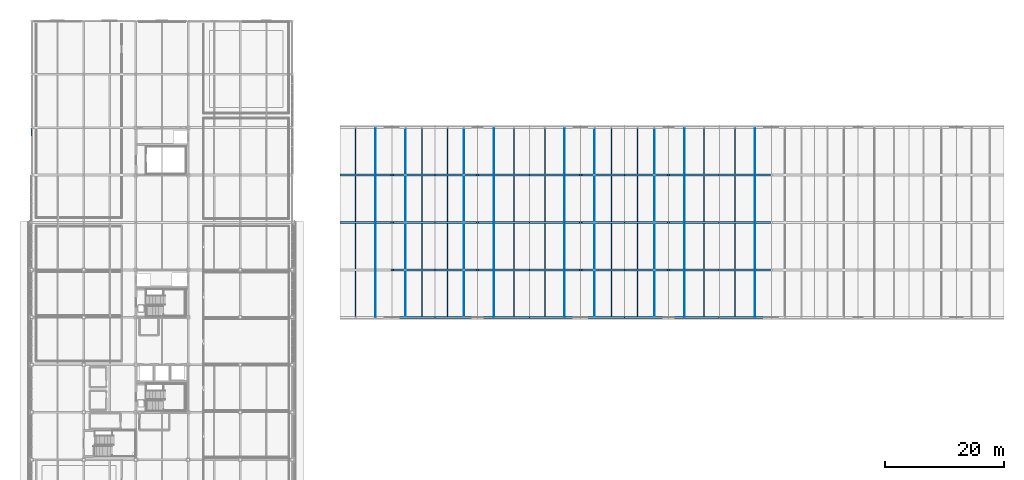
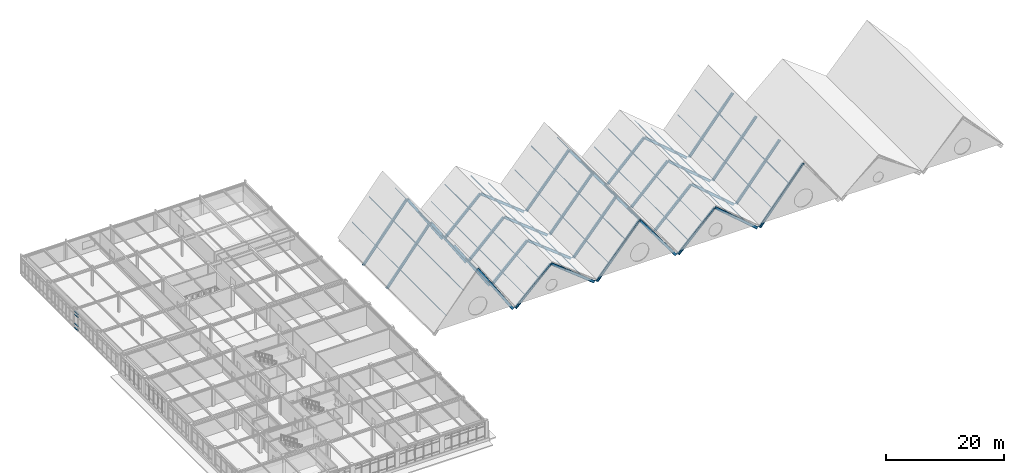
# One storey, part 20 of 64: 56 members, 1 element without a shape of its own.
"""IFC4 building model written with IfcOpenShell, lengths in metres."""

from ifc_helpers import new_model, si_unit, direction, frame, origin, origin_2d, place, context, subcontext, project, spatial, rectangle, hollow_rectangle, i_section, extrude, material, material_profile, profile_set, type_object, element, aggregate, save


model = new_model("IFC4")

# Units and contexts
model_context = context("Model", 3, precision=1e-05, world=origin(), true_north=direction((0.0, 1.0)))
body_context = subcontext(model_context, "Body", "Model", "MODEL_VIEW")
ifc_project = project(units=[si_unit("LENGTHUNIT", "METRE"), si_unit("AREAUNIT", "SQUARE_METRE"), si_unit("VOLUMEUNIT", "CUBIC_METRE"), si_unit("PLANEANGLEUNIT", "RADIAN"), si_unit("MASSUNIT", "GRAM", prefix="KILO")], contexts=[model_context])

# Site, building, storey
site_placement = place(None, origin())
site = spatial("IfcSite", under=ifc_project, at=site_placement, CompositionType="ELEMENT")
building_placement = place(site_placement, origin())
building = spatial("IfcBuilding", under=site, at=building_placement, Name="Zhaolan Boulevard Law Courts", CompositionType="ELEMENT")
storey_placement = place(building_placement, frame((0.0, 0.0, 20.39990234375)))
storey = spatial("IfcBuildingStorey", under=building, at=storey_placement, Name="L04", CompositionType="ELEMENT", Elevation=20.39990234375)

# Curtain wall, members
ifc_material_1 = material(Name="Thermally broken aluminium and low-E glazing", Category="aluminium")
curtain_wall_type = type_object("IfcCurtainWallType", Name="CURTAIN WALL M12", PredefinedType="USERDEFINED", material=ifc_material_1)
curtain_wall_placement = place(storey_placement, origin())
curtain_wall = element("IfcCurtainWall", 1, at=curtain_wall_placement, inside=storey, type_object=curtain_wall_type, Name="Curtain Wall CW-L04-132", ObjectType="CURTAIN WALL", PredefinedType="USERDEFINED")
ifc_material_2 = material(Name="Fluorocarbon-coated aluminium 6063-T6", Category="aluminium")
ifc_material_profile_1 = material_profile(ifc_material_2, rectangle(XDim=0.139892578125, YDim=0.06494140625, at=origin_2d()), Name="AL65x140")
ifc_profile_set_1 = profile_set([ifc_material_profile_1], Name="Fluorocarbon-coated aluminium 6063-T6")
member_type_1 = type_object("IfcMemberType", Name="CWTRANSOM 65X140", PredefinedType="USERDEFINED", material=ifc_profile_set_1)
member_1_placement = place(storey_placement, frame((0.0, 93.782958984375, 0.03271484375), z_axis=(0.0, -1.0, 0.0), x_axis=(1.0, 0.0, 0.0)))
member_1 = element("IfcMember", 2, at=member_1_placement, type_object=member_type_1, Name="CW-L04-132 transom 1.1", ObjectType="TRANSOM", PredefinedType="USERDEFINED", context=body_context, shape_type="SweptSolid", body=[
    extrude(rectangle(XDim=0.139892578125, YDim=0.06494140625, at=origin_2d()), origin(), (0.0, 0.0, 1.0), 1.18505859375),
])
member_2_placement = place(storey_placement, frame((0.0, 93.782958984375, 0.900146484375), z_axis=(0.0, -1.0, 0.0), x_axis=(1.0, 0.0, 0.0)))
member_2 = element("IfcMember", 3, at=member_2_placement, type_object=member_type_1, Name="CW-L04-132 transom 1.2", ObjectType="TRANSOM", PredefinedType="USERDEFINED", context=body_context, shape_type="SweptSolid", body=[
    extrude(rectangle(XDim=0.139892578125, YDim=0.06494140625, at=origin_2d()), origin(), (0.0, 0.0, 1.0), 1.18505859375),
])
member_3_placement = place(storey_placement, frame((0.0, 93.782958984375, 2.773193359375), z_axis=(0.0, -1.0, 0.0), x_axis=(1.0, 0.0, 0.0)))
member_3 = element("IfcMember", 4, at=member_3_placement, type_object=member_type_1, Name="CW-L04-132 transom 1.3", ObjectType="TRANSOM", PredefinedType="USERDEFINED", context=body_context, shape_type="SweptSolid", body=[
    extrude(rectangle(XDim=0.139892578125, YDim=0.06494140625, at=origin_2d()), origin(), (0.0, 0.0, 1.0), 1.18505859375),
])
member_4_placement = place(storey_placement, frame((0.0, 93.782958984375, 3.390625), z_axis=(0.0, -1.0, 0.0), x_axis=(1.0, 0.0, 0.0)))
member_4 = element("IfcMember", 5, at=member_4_placement, type_object=member_type_1, Name="CW-L04-132 transom 1.4", ObjectType="TRANSOM", PredefinedType="USERDEFINED", context=body_context, shape_type="SweptSolid", body=[
    extrude(rectangle(XDim=0.139892578125, YDim=0.06494140625, at=origin_2d()), origin(), (0.0, 0.0, 1.0), 1.18505859375),
])
aggregate(curtain_wall, [member_1, member_2, member_3, member_4])

# Members
ifc_material_3 = material(Name="Structural steel Q355B", Category="steel")
ifc_material_profile_2 = material_profile(ifc_material_3, hollow_rectangle(XDim=0.080078125, YDim=0.1201171875, WallThickness=0.006103515625, InnerFilletRadius=0.006103515625, OuterFilletRadius=0.011962890625, at=origin_2d()), Name="HSS120x80x6")
ifc_profile_set_2 = profile_set([ifc_material_profile_2], Name="Structural steel Q355B")
member_type_2 = type_object("IfcMemberType", Name="PURLIN HSS120", PredefinedType="PURLIN", material=ifc_profile_set_2)
for number, where, z_axis, x_axis, name in (
    (6, (57.98388671875, 62.0, 6.716064453125), (0.0, 1.0, 0.0), (-1.0, 0.0, 0.0), "Gable Roof Purlin GPR-1W2"),
    (7, (63.10400390625, 62.0, 6.716064453125), (0.0, 1.0, 0.0), (-1.0, 0.0, 0.0), "Gable Roof Purlin GPR-1E2"),
    (8, (72.89599609375, 62.0, 4.041015625), (0.0, 1.0, 0.0), (-1.0, 0.0, 0.0), "Gable Roof Purlin GPR-2W2"),
    (9, (78.01611328125, 62.0, 4.041015625), (0.0, 1.0, 0.0), (-1.0, 0.0, 0.0), "Gable Roof Purlin GPR-2E2"),
    (10, (89.847900390625, 62.0, 6.050048828125), (0.0, 1.0, 0.0), (-1.0, 0.0, 0.0), "Gable Roof Purlin GPR-3W2"),
    (11, (94.968017578125, 62.0, 6.050048828125), (0.0, 1.0, 0.0), (-1.0, 0.0, 0.0), "Gable Roof Purlin GPR-3E2"),
    (12, (105.031982421875, 62.0, 4.30908203125), (0.0, 1.0, 0.0), (-1.0, 0.0, 0.0), "Gable Roof Purlin GPR-4W2"),
    (13, (110.152099609375, 62.0, 4.30908203125), (0.0, 1.0, 0.0), (-1.0, 0.0, 0.0), "Gable Roof Purlin GPR-4E2"),
    (14, (121.98388671875, 62.0, 6.451171875), (0.0, 1.0, 0.0), (-1.0, 0.0, 0.0), "Gable Roof Purlin GPR-5W2"),
):
    element("IfcMember", number, at=place(storey_placement, frame(where, z_axis=z_axis, x_axis=x_axis)), inside=storey, type_object=member_type_2, Name=name, PredefinedType="PURLIN", context=body_context, shape_type="SweptSolid", body=[
        extrude(hollow_rectangle(XDim=0.080078125, YDim=0.1201171875, WallThickness=0.006103515625, InnerFilletRadius=0.006103515625, OuterFilletRadius=0.011962890625, at=origin_2d()), origin(), (0.0, 0.0, 1.0), 32.0),
    ])
ifc_material_4 = material(Name="Structural steel Q355B", Category="steel")
ifc_material_profile_3 = material_profile(ifc_material_4, hollow_rectangle(XDim=0.10009765625, YDim=0.14990234375, WallThickness=0.006103515625, InnerFilletRadius=0.006103515625, OuterFilletRadius=0.011962890625, at=origin_2d()), Name="HSS150x100x6")
ifc_profile_set_3 = profile_set([ifc_material_profile_3], Name="Structural steel Q355B")
member_type_3 = type_object("IfcMemberType", Name="PURLIN HSS150", PredefinedType="PURLIN", material=ifc_profile_set_3)
for number, where, z_axis, x_axis, name in (
    (15, (54.639892578125, 62.0, 2.612060546875), (0.0, 1.0, 0.0), (-1.0, 0.0, 0.0), "Gable Roof Purlin GPR-1W1"),
    (16, (65.840087890625, 62.0, 2.612060546875), (0.0, 1.0, 0.0), (-1.0, 0.0, 0.0), "Gable Roof Purlin GPR-1E1"),
    (17, (70.159912109375, 62.0, 1.45703125), (0.0, 1.0, 0.0), (-1.0, 0.0, 0.0), "Gable Roof Purlin GPR-2W1"),
    (18, (81.360107421875, 62.0, 1.45703125), (0.0, 1.0, 0.0), (-1.0, 0.0, 0.0), "Gable Roof Purlin GPR-2E1"),
    (19, (86.580078125, 62.0, 2.326171875), (0.0, 1.0, 0.0), (-1.0, 0.0, 0.0), "Gable Roof Purlin GPR-3W1"),
    (20, (97.780029296875, 62.0, 2.326171875), (0.0, 1.0, 0.0), (-1.0, 0.0, 0.0), "Gable Roof Purlin GPR-3E1"),
    (21, (102.219970703125, 62.0, 1.572998046875), (0.0, 1.0, 0.0), (-1.0, 0.0, 0.0), "Gable Roof Purlin GPR-4W1"),
    (22, (113.419921875, 62.0, 1.572998046875), (0.0, 1.0, 0.0), (-1.0, 0.0, 0.0), "Gable Roof Purlin GPR-4E1"),
    (23, (118.639892578125, 62.0, 2.4990234375), (0.0, 1.0, 0.0), (-1.0, 0.0, 0.0), "Gable Roof Purlin GPR-5W1"),
):
    element("IfcMember", number, at=place(storey_placement, frame(where, z_axis=z_axis, x_axis=x_axis)), inside=storey, type_object=member_type_3, Name=name, PredefinedType="PURLIN", context=body_context, shape_type="SweptSolid", body=[
        extrude(hollow_rectangle(XDim=0.10009765625, YDim=0.14990234375, WallThickness=0.006103515625, InnerFilletRadius=0.006103515625, OuterFilletRadius=0.011962890625, at=origin_2d()), origin(), (0.0, 0.0, 1.0), 32.0),
    ])
ifc_material_5 = material(Name="Structural steel Q390B", Category="steel")
ifc_material_profile_4 = material_profile(ifc_material_5, i_section(OverallWidth=0.300048828125, OverallDepth=0.48193359375, WebThickness=0.010986328125, FlangeThickness=0.014892578125, FilletRadius=0.02197265625, at=origin_2d()), Name="HM482x300")
ifc_profile_set_4 = profile_set([ifc_material_profile_4], Name="Structural steel Q390B")
member_type_4 = type_object("IfcMemberType", Name="RAFTER HM488", PredefinedType="RAFTER", material=ifc_profile_set_4)
for number, where, z_axis, x_axis, name in (
    (24, (67.800048828125, 62.0, -0.64794921875), (-0.543893722668, 0.0, 0.839154108875), (0.0, -1.0, 0.0), "Courtroom Gable Rafter GRF-1E"),
    (25, (67.800048828125, 70.0, -0.64794921875), (-0.543893722668, 0.0, 0.839154108875), (0.0, -1.0, 0.0), "Courtroom Gable Rafter GRF-1E"),
):
    element("IfcMember", number, at=place(storey_placement, frame(where, z_axis=z_axis, x_axis=x_axis)), inside=storey, type_object=member_type_4, Name=name, PredefinedType="RAFTER", context=body_context, shape_type="SweptSolid", body=[
        extrude(i_section(OverallWidth=0.300048828125, OverallDepth=0.48193359375, WebThickness=0.010986328125, FlangeThickness=0.014892578125, FilletRadius=0.02197265625, at=origin_2d()), origin(), (0.0, 0.0, 1.0), 12.8701171875),
    ])
member_5_placement = place(storey_placement, frame((52.199951171875, 78.0, -0.64794921875), z_axis=(0.622929387018, 0.0, 0.782278069991), x_axis=(0.0, 1.0, 0.0)))
element("IfcMember", 26, at=member_5_placement, inside=storey, type_object=member_type_4, Name="Courtroom Gable Rafter GRF-1W", PredefinedType="RAFTER", context=body_context, shape_type="SweptSolid", body=[
    extrude(i_section(OverallWidth=0.300048828125, OverallDepth=0.48193359375, WebThickness=0.010986328125, FlangeThickness=0.014892578125, FilletRadius=0.02197265625, at=origin_2d()), origin(), (0.0, 0.0, 1.0), 13.805908203125),
])
member_6_placement = place(storey_placement, frame((67.800048828125, 78.0, -0.64794921875), z_axis=(-0.543893722668, 0.0, 0.839154108875), x_axis=(0.0, -1.0, 0.0)))
element("IfcMember", 27, at=member_6_placement, inside=storey, type_object=member_type_4, Name="Courtroom Gable Rafter GRF-1E", PredefinedType="RAFTER", context=body_context, shape_type="SweptSolid", body=[
    extrude(i_section(OverallWidth=0.300048828125, OverallDepth=0.48193359375, WebThickness=0.010986328125, FlangeThickness=0.014892578125, FilletRadius=0.02197265625, at=origin_2d()), origin(), (0.0, 0.0, 1.0), 12.8701171875),
])
member_7_placement = place(storey_placement, frame((52.199951171875, 86.0, -0.64794921875), z_axis=(0.622929387018, 0.0, 0.782278069991), x_axis=(0.0, 1.0, 0.0)))
element("IfcMember", 28, at=member_7_placement, inside=storey, type_object=member_type_4, Name="Courtroom Gable Rafter GRF-1W", PredefinedType="RAFTER", context=body_context, shape_type="SweptSolid", body=[
    extrude(i_section(OverallWidth=0.300048828125, OverallDepth=0.48193359375, WebThickness=0.010986328125, FlangeThickness=0.014892578125, FilletRadius=0.02197265625, at=origin_2d()), origin(), (0.0, 0.0, 1.0), 13.805908203125),
])
member_8_placement = place(storey_placement, frame((67.800048828125, 86.0, -0.64794921875), z_axis=(-0.543893722668, 0.0, 0.839154108875), x_axis=(0.0, -1.0, 0.0)))
element("IfcMember", 29, at=member_8_placement, inside=storey, type_object=member_type_4, Name="Courtroom Gable Rafter GRF-1E", PredefinedType="RAFTER", context=body_context, shape_type="SweptSolid", body=[
    extrude(i_section(OverallWidth=0.300048828125, OverallDepth=0.48193359375, WebThickness=0.010986328125, FlangeThickness=0.014892578125, FilletRadius=0.02197265625, at=origin_2d()), origin(), (0.0, 0.0, 1.0), 12.8701171875),
])
member_9_placement = place(storey_placement, frame((68.199951171875, 62.0, -0.602783203125), z_axis=(0.71728938341, 0.0, 0.696775387372), x_axis=(0.0, 1.0, 0.0)))
element("IfcMember", 30, at=member_9_placement, inside=storey, type_object=member_type_4, Name="Courtroom Gable Rafter GRF-2W", PredefinedType="RAFTER", context=body_context, shape_type="SweptSolid", body=[
    extrude(i_section(OverallWidth=0.300048828125, OverallDepth=0.48193359375, WebThickness=0.010986328125, FlangeThickness=0.014892578125, FilletRadius=0.02197265625, at=origin_2d()), origin(), (0.0, 0.0, 1.0), 9.759033203125),
])
member_10_placement = place(storey_placement, frame((83.800048828125, 62.0, -0.602783203125), z_axis=(-0.784427685291, 0.0, 0.620220288728), x_axis=(0.0, -1.0, 0.0)))
element("IfcMember", 31, at=member_10_placement, inside=storey, type_object=member_type_4, Name="Courtroom Gable Rafter GRF-2E", PredefinedType="RAFTER", context=body_context, shape_type="SweptSolid", body=[
    extrude(i_section(OverallWidth=0.300048828125, OverallDepth=0.48193359375, WebThickness=0.010986328125, FlangeThickness=0.014892578125, FilletRadius=0.02197265625, at=origin_2d()), origin(), (0.0, 0.0, 1.0), 10.963623046875),
])
member_11_placement = place(storey_placement, frame((68.199951171875, 70.0, -0.602783203125), z_axis=(0.71728938341, 0.0, 0.696775387372), x_axis=(0.0, 1.0, 0.0)))
element("IfcMember", 32, at=member_11_placement, inside=storey, type_object=member_type_4, Name="Courtroom Gable Rafter GRF-2W", PredefinedType="RAFTER", context=body_context, shape_type="SweptSolid", body=[
    extrude(i_section(OverallWidth=0.300048828125, OverallDepth=0.48193359375, WebThickness=0.010986328125, FlangeThickness=0.014892578125, FilletRadius=0.02197265625, at=origin_2d()), origin(), (0.0, 0.0, 1.0), 9.759033203125),
])
member_12_placement = place(storey_placement, frame((83.800048828125, 70.0, -0.602783203125), z_axis=(-0.784427685291, 0.0, 0.620220288728), x_axis=(0.0, -1.0, 0.0)))
element("IfcMember", 33, at=member_12_placement, inside=storey, type_object=member_type_4, Name="Courtroom Gable Rafter GRF-2E", PredefinedType="RAFTER", context=body_context, shape_type="SweptSolid", body=[
    extrude(i_section(OverallWidth=0.300048828125, OverallDepth=0.48193359375, WebThickness=0.010986328125, FlangeThickness=0.014892578125, FilletRadius=0.02197265625, at=origin_2d()), origin(), (0.0, 0.0, 1.0), 10.963623046875),
])
member_13_placement = place(storey_placement, frame((68.199951171875, 78.0, -0.602783203125), z_axis=(0.71728938341, 0.0, 0.696775387372), x_axis=(0.0, 1.0, 0.0)))
element("IfcMember", 34, at=member_13_placement, inside=storey, type_object=member_type_4, Name="Courtroom Gable Rafter GRF-2W", PredefinedType="RAFTER", context=body_context, shape_type="SweptSolid", body=[
    extrude(i_section(OverallWidth=0.300048828125, OverallDepth=0.48193359375, WebThickness=0.010986328125, FlangeThickness=0.014892578125, FilletRadius=0.02197265625, at=origin_2d()), origin(), (0.0, 0.0, 1.0), 9.759033203125),
])
member_14_placement = place(storey_placement, frame((83.800048828125, 78.0, -0.602783203125), z_axis=(-0.784427685291, 0.0, 0.620220288728), x_axis=(0.0, -1.0, 0.0)))
element("IfcMember", 35, at=member_14_placement, inside=storey, type_object=member_type_4, Name="Courtroom Gable Rafter GRF-2E", PredefinedType="RAFTER", context=body_context, shape_type="SweptSolid", body=[
    extrude(i_section(OverallWidth=0.300048828125, OverallDepth=0.48193359375, WebThickness=0.010986328125, FlangeThickness=0.014892578125, FilletRadius=0.02197265625, at=origin_2d()), origin(), (0.0, 0.0, 1.0), 10.963623046875),
])
member_15_placement = place(storey_placement, frame((68.199951171875, 86.0, -0.602783203125), z_axis=(0.71728938341, 0.0, 0.696775387372), x_axis=(0.0, 1.0, 0.0)))
element("IfcMember", 36, at=member_15_placement, inside=storey, type_object=member_type_4, Name="Courtroom Gable Rafter GRF-2W", PredefinedType="RAFTER", context=body_context, shape_type="SweptSolid", body=[
    extrude(i_section(OverallWidth=0.300048828125, OverallDepth=0.48193359375, WebThickness=0.010986328125, FlangeThickness=0.014892578125, FilletRadius=0.02197265625, at=origin_2d()), origin(), (0.0, 0.0, 1.0), 9.759033203125),
])
member_16_placement = place(storey_placement, frame((83.800048828125, 86.0, -0.602783203125), z_axis=(-0.784427685291, 0.0, 0.620220288728), x_axis=(0.0, -1.0, 0.0)))
element("IfcMember", 37, at=member_16_placement, inside=storey, type_object=member_type_4, Name="Courtroom Gable Rafter GRF-2E", PredefinedType="RAFTER", context=body_context, shape_type="SweptSolid", body=[
    extrude(i_section(OverallWidth=0.300048828125, OverallDepth=0.48193359375, WebThickness=0.010986328125, FlangeThickness=0.014892578125, FilletRadius=0.02197265625, at=origin_2d()), origin(), (0.0, 0.0, 1.0), 10.963623046875),
])
member_17_placement = place(storey_placement, frame((84.199951171875, 62.0, -0.6337890625), z_axis=(0.650805392633, 0.0, 0.759244585703), x_axis=(0.0, 1.0, 0.0)))
element("IfcMember", 38, at=member_17_placement, inside=storey, type_object=member_type_4, Name="Courtroom Gable Rafter GRF-3W", PredefinedType="RAFTER", context=body_context, shape_type="SweptSolid", body=[
    extrude(i_section(OverallWidth=0.300048828125, OverallDepth=0.48193359375, WebThickness=0.010986328125, FlangeThickness=0.014892578125, FilletRadius=0.02197265625, at=origin_2d()), origin(), (0.0, 0.0, 1.0), 12.9072265625),
])
member_18_placement = place(storey_placement, frame((99.800048828125, 62.0, -0.6337890625), z_axis=(-0.592081489776, 0.0, 0.80587809839), x_axis=(0.0, -1.0, 0.0)))
element("IfcMember", 39, at=member_18_placement, inside=storey, type_object=member_type_4, Name="Courtroom Gable Rafter GRF-3E", PredefinedType="RAFTER", context=body_context, shape_type="SweptSolid", body=[
    extrude(i_section(OverallWidth=0.300048828125, OverallDepth=0.48193359375, WebThickness=0.010986328125, FlangeThickness=0.014892578125, FilletRadius=0.02197265625, at=origin_2d()), origin(), (0.0, 0.0, 1.0), 12.160400390625),
])
member_19_placement = place(storey_placement, frame((84.199951171875, 70.0, -0.6337890625), z_axis=(0.650805392633, 0.0, 0.759244585703), x_axis=(0.0, 1.0, 0.0)))
element("IfcMember", 40, at=member_19_placement, inside=storey, type_object=member_type_4, Name="Courtroom Gable Rafter GRF-3W", PredefinedType="RAFTER", context=body_context, shape_type="SweptSolid", body=[
    extrude(i_section(OverallWidth=0.300048828125, OverallDepth=0.48193359375, WebThickness=0.010986328125, FlangeThickness=0.014892578125, FilletRadius=0.02197265625, at=origin_2d()), origin(), (0.0, 0.0, 1.0), 12.9072265625),
])
member_20_placement = place(storey_placement, frame((99.800048828125, 70.0, -0.6337890625), z_axis=(-0.592081489776, 0.0, 0.80587809839), x_axis=(0.0, -1.0, 0.0)))
element("IfcMember", 41, at=member_20_placement, inside=storey, type_object=member_type_4, Name="Courtroom Gable Rafter GRF-3E", PredefinedType="RAFTER", context=body_context, shape_type="SweptSolid", body=[
    extrude(i_section(OverallWidth=0.300048828125, OverallDepth=0.48193359375, WebThickness=0.010986328125, FlangeThickness=0.014892578125, FilletRadius=0.02197265625, at=origin_2d()), origin(), (0.0, 0.0, 1.0), 12.160400390625),
])
member_21_placement = place(storey_placement, frame((84.199951171875, 78.0, -0.6337890625), z_axis=(0.650805392633, 0.0, 0.759244585703), x_axis=(0.0, 1.0, 0.0)))
element("IfcMember", 42, at=member_21_placement, inside=storey, type_object=member_type_4, Name="Courtroom Gable Rafter GRF-3W", PredefinedType="RAFTER", context=body_context, shape_type="SweptSolid", body=[
    extrude(i_section(OverallWidth=0.300048828125, OverallDepth=0.48193359375, WebThickness=0.010986328125, FlangeThickness=0.014892578125, FilletRadius=0.02197265625, at=origin_2d()), origin(), (0.0, 0.0, 1.0), 12.9072265625),
])
member_22_placement = place(storey_placement, frame((99.800048828125, 78.0, -0.6337890625), z_axis=(-0.592081489776, 0.0, 0.80587809839), x_axis=(0.0, -1.0, 0.0)))
element("IfcMember", 43, at=member_22_placement, inside=storey, type_object=member_type_4, Name="Courtroom Gable Rafter GRF-3E", PredefinedType="RAFTER", context=body_context, shape_type="SweptSolid", body=[
    extrude(i_section(OverallWidth=0.300048828125, OverallDepth=0.48193359375, WebThickness=0.010986328125, FlangeThickness=0.014892578125, FilletRadius=0.02197265625, at=origin_2d()), origin(), (0.0, 0.0, 1.0), 12.160400390625),
])
member_23_placement = place(storey_placement, frame((84.199951171875, 86.0, -0.6337890625), z_axis=(0.650805392633, 0.0, 0.759244585703), x_axis=(0.0, 1.0, 0.0)))
element("IfcMember", 44, at=member_23_placement, inside=storey, type_object=member_type_4, Name="Courtroom Gable Rafter GRF-3W", PredefinedType="RAFTER", context=body_context, shape_type="SweptSolid", body=[
    extrude(i_section(OverallWidth=0.300048828125, OverallDepth=0.48193359375, WebThickness=0.010986328125, FlangeThickness=0.014892578125, FilletRadius=0.02197265625, at=origin_2d()), origin(), (0.0, 0.0, 1.0), 12.9072265625),
])
member_24_placement = place(storey_placement, frame((99.800048828125, 86.0, -0.6337890625), z_axis=(-0.592081489776, 0.0, 0.80587809839), x_axis=(0.0, -1.0, 0.0)))
element("IfcMember", 45, at=member_24_placement, inside=storey, type_object=member_type_4, Name="Courtroom Gable Rafter GRF-3E", PredefinedType="RAFTER", context=body_context, shape_type="SweptSolid", body=[
    extrude(i_section(OverallWidth=0.300048828125, OverallDepth=0.48193359375, WebThickness=0.010986328125, FlangeThickness=0.014892578125, FilletRadius=0.02197265625, at=origin_2d()), origin(), (0.0, 0.0, 1.0), 12.160400390625),
])
member_25_placement = place(storey_placement, frame((100.199951171875, 62.0, -0.60693359375), z_axis=(0.707106781187, 0.0, 0.707106781187), x_axis=(0.0, 1.0, 0.0)))
element("IfcMember", 46, at=member_25_placement, inside=storey, type_object=member_type_4, Name="Courtroom Gable Rafter GRF-4W", PredefinedType="RAFTER", context=body_context, shape_type="SweptSolid", body=[
    extrude(i_section(OverallWidth=0.300048828125, OverallDepth=0.48193359375, WebThickness=0.010986328125, FlangeThickness=0.014892578125, FilletRadius=0.02197265625, at=origin_2d()), origin(), (0.0, 0.0, 1.0), 10.182373046875),
])
member_26_placement = place(storey_placement, frame((115.800048828125, 62.0, -0.60693359375), z_axis=(-0.759264390716, 0.0, 0.650782286936), x_axis=(0.0, -1.0, 0.0)))
element("IfcMember", 47, at=member_26_placement, inside=storey, type_object=member_type_4, Name="Courtroom Gable Rafter GRF-4E", PredefinedType="RAFTER", context=body_context, shape_type="SweptSolid", body=[
    extrude(i_section(OverallWidth=0.300048828125, OverallDepth=0.48193359375, WebThickness=0.010986328125, FlangeThickness=0.014892578125, FilletRadius=0.02197265625, at=origin_2d()), origin(), (0.0, 0.0, 1.0), 11.0634765625),
])
member_27_placement = place(storey_placement, frame((100.199951171875, 70.0, -0.60693359375), z_axis=(0.707106781187, 0.0, 0.707106781187), x_axis=(0.0, 1.0, 0.0)))
element("IfcMember", 48, at=member_27_placement, inside=storey, type_object=member_type_4, Name="Courtroom Gable Rafter GRF-4W", PredefinedType="RAFTER", context=body_context, shape_type="SweptSolid", body=[
    extrude(i_section(OverallWidth=0.300048828125, OverallDepth=0.48193359375, WebThickness=0.010986328125, FlangeThickness=0.014892578125, FilletRadius=0.02197265625, at=origin_2d()), origin(), (0.0, 0.0, 1.0), 10.182373046875),
])
member_28_placement = place(storey_placement, frame((115.800048828125, 70.0, -0.60693359375), z_axis=(-0.759264390716, 0.0, 0.650782286936), x_axis=(0.0, -1.0, 0.0)))
element("IfcMember", 49, at=member_28_placement, inside=storey, type_object=member_type_4, Name="Courtroom Gable Rafter GRF-4E", PredefinedType="RAFTER", context=body_context, shape_type="SweptSolid", body=[
    extrude(i_section(OverallWidth=0.300048828125, OverallDepth=0.48193359375, WebThickness=0.010986328125, FlangeThickness=0.014892578125, FilletRadius=0.02197265625, at=origin_2d()), origin(), (0.0, 0.0, 1.0), 11.0634765625),
])
member_29_placement = place(storey_placement, frame((100.199951171875, 78.0, -0.60693359375), z_axis=(0.707106781187, 0.0, 0.707106781187), x_axis=(0.0, 1.0, 0.0)))
element("IfcMember", 50, at=member_29_placement, inside=storey, type_object=member_type_4, Name="Courtroom Gable Rafter GRF-4W", PredefinedType="RAFTER", context=body_context, shape_type="SweptSolid", body=[
    extrude(i_section(OverallWidth=0.300048828125, OverallDepth=0.48193359375, WebThickness=0.010986328125, FlangeThickness=0.014892578125, FilletRadius=0.02197265625, at=origin_2d()), origin(), (0.0, 0.0, 1.0), 10.182373046875),
])
member_30_placement = place(storey_placement, frame((115.800048828125, 78.0, -0.60693359375), z_axis=(-0.759264390716, 0.0, 0.650782286936), x_axis=(0.0, -1.0, 0.0)))
element("IfcMember", 51, at=member_30_placement, inside=storey, type_object=member_type_4, Name="Courtroom Gable Rafter GRF-4E", PredefinedType="RAFTER", context=body_context, shape_type="SweptSolid", body=[
    extrude(i_section(OverallWidth=0.300048828125, OverallDepth=0.48193359375, WebThickness=0.010986328125, FlangeThickness=0.014892578125, FilletRadius=0.02197265625, at=origin_2d()), origin(), (0.0, 0.0, 1.0), 11.0634765625),
])
member_31_placement = place(storey_placement, frame((100.199951171875, 86.0, -0.60693359375), z_axis=(0.707106781187, 0.0, 0.707106781187), x_axis=(0.0, 1.0, 0.0)))
element("IfcMember", 52, at=member_31_placement, inside=storey, type_object=member_type_4, Name="Courtroom Gable Rafter GRF-4W", PredefinedType="RAFTER", context=body_context, shape_type="SweptSolid", body=[
    extrude(i_section(OverallWidth=0.300048828125, OverallDepth=0.48193359375, WebThickness=0.010986328125, FlangeThickness=0.014892578125, FilletRadius=0.02197265625, at=origin_2d()), origin(), (0.0, 0.0, 1.0), 10.182373046875),
])
member_32_placement = place(storey_placement, frame((115.800048828125, 86.0, -0.60693359375), z_axis=(-0.759264390716, 0.0, 0.650782286936), x_axis=(0.0, -1.0, 0.0)))
element("IfcMember", 53, at=member_32_placement, inside=storey, type_object=member_type_4, Name="Courtroom Gable Rafter GRF-4E", PredefinedType="RAFTER", context=body_context, shape_type="SweptSolid", body=[
    extrude(i_section(OverallWidth=0.300048828125, OverallDepth=0.48193359375, WebThickness=0.010986328125, FlangeThickness=0.014892578125, FilletRadius=0.02197265625, at=origin_2d()), origin(), (0.0, 0.0, 1.0), 11.0634765625),
])
for number, where, z_axis, x_axis, name in (
    (54, (116.199951171875, 62.0, -0.640869140625), (0.637272211232, 0.0, 0.770638779709), (0.0, 1.0, 0.0), "Courtroom Gable Rafter GRF-5W"),
    (55, (116.199951171875, 70.0, -0.640869140625), (0.637272211232, 0.0, 0.770638779709), (0.0, 1.0, 0.0), "Courtroom Gable Rafter GRF-5W"),
    (56, (116.199951171875, 78.0, -0.640869140625), (0.637272211232, 0.0, 0.770638779709), (0.0, 1.0, 0.0), "Courtroom Gable Rafter GRF-5W"),
    (57, (116.199951171875, 86.0, -0.640869140625), (0.637272211232, 0.0, 0.770638779709), (0.0, 1.0, 0.0), "Courtroom Gable Rafter GRF-5W"),
):
    element("IfcMember", number, at=place(storey_placement, frame(where, z_axis=z_axis, x_axis=x_axis)), inside=storey, type_object=member_type_4, Name=name, PredefinedType="RAFTER", context=body_context, shape_type="SweptSolid", body=[
        extrude(i_section(OverallWidth=0.300048828125, OverallDepth=0.48193359375, WebThickness=0.010986328125, FlangeThickness=0.014892578125, FilletRadius=0.02197265625, at=origin_2d()), origin(), (0.0, 0.0, 1.0), 13.4951171875),
    ])

save(model, "model.ifc")
